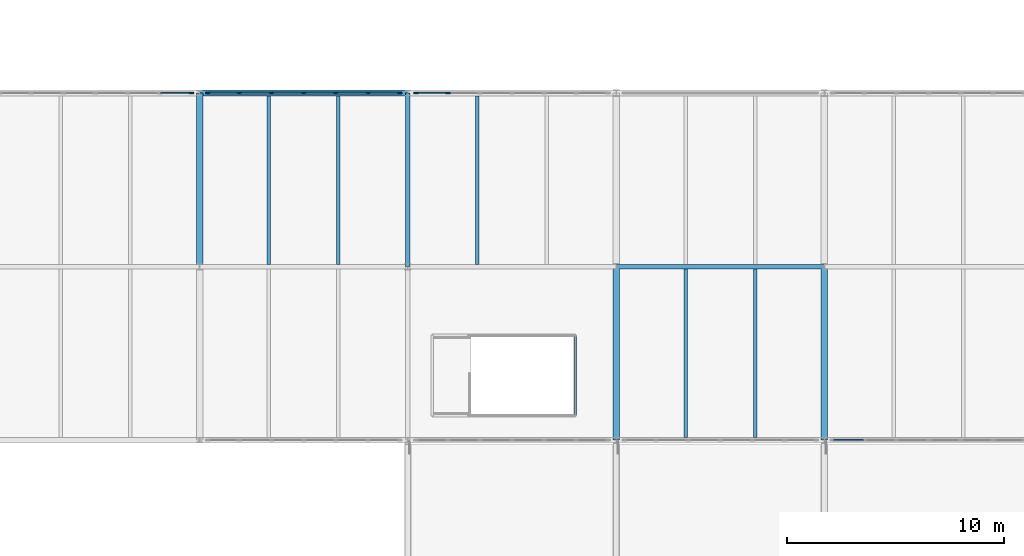
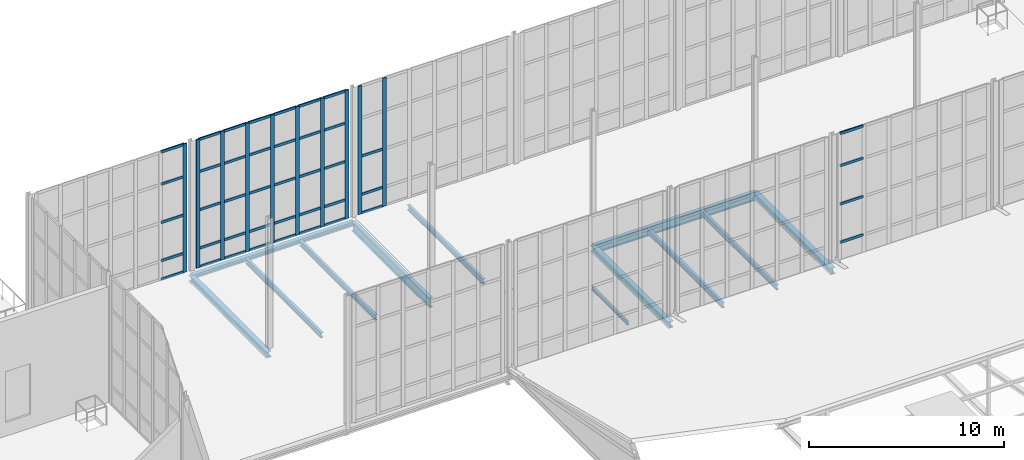
# One storey, part 37 of 73: 52 members, 12 beams, 4 elements without a shape of their own.
"""IFC4 building model written with IfcOpenShell, lengths in metres."""

from ifc_helpers import new_model, si_unit, direction, frame, origin, origin_2d, place, context, subcontext, project, spatial, rectangle, i_section, extrude, material, layer, layer_set, material_profile, profile_set, type_object, element, aggregate, save


model = new_model("IFC4")

# Units and contexts
model_context = context("Model", 3, precision=1e-05, world=origin(), true_north=direction((0.0, 1.0)))
body_context = subcontext(model_context, "Body", "Model", "MODEL_VIEW")
ifc_project = project(units=[si_unit("LENGTHUNIT", "METRE"), si_unit("AREAUNIT", "SQUARE_METRE"), si_unit("VOLUMEUNIT", "CUBIC_METRE"), si_unit("PLANEANGLEUNIT", "RADIAN"), si_unit("MASSUNIT", "GRAM", prefix="KILO")], contexts=[model_context])

# Site, building, storey
site_placement = place(None, origin())
site = spatial("IfcSite", under=ifc_project, at=site_placement, CompositionType="ELEMENT")
building_placement = place(site_placement, origin())
building = spatial("IfcBuilding", under=site, at=building_placement, Name="Alderhovde Museum", CompositionType="ELEMENT")
storey_placement = place(building_placement, frame((0.0, 0.0, 17.39990234375)))
storey = spatial("IfcBuildingStorey", under=building, at=storey_placement, Name="L04", CompositionType="ELEMENT", Elevation=17.39990234375)

# Beams
ifc_material_1 = material(Name="Steel S355J2", Category="steel")
ifc_material_profile_1 = material_profile(ifc_material_1, i_section(OverallWidth=0.300048828125, OverallDepth=0.389892578125, WebThickness=0.010986328125, FlangeThickness=0.01904296875, FilletRadius=0.027099609375, at=origin_2d()), Name="HEA 400")
ifc_profile_set_1 = profile_set([ifc_material_profile_1], Name="Steel S355J2")
beam_type_1 = type_object("IfcBeamType", Name="BM-HEA400", PredefinedType="BEAM", material=ifc_profile_set_1)
for number, where, z_axis, x_axis, name in (
    (1, (67.199951171875, 80.0, -0.474853515625), (0.0, 1.0, 0.0), (-1.0, 0.0, 0.0), "L04 Grid Beam X=67.2 (80.0 TO 88.0)"),
    (2, (86.39990234375, 72.0, -0.474853515625), (0.0, 1.0, 0.0), (-1.0, 0.0, 0.0), "L04 Grid Beam X=86.4 (72.0 TO 80.0)"),
    (3, (96.0, 72.0, -0.474853515625), (0.0, 1.0, 0.0), (-1.0, 0.0, 0.0), "L04 Grid Beam X=96.0 (72.0 TO 80.0)"),
):
    element("IfcBeam", number, at=place(storey_placement, frame(where, z_axis=z_axis, x_axis=x_axis)), inside=storey, type_object=beam_type_1, Name=name, PredefinedType="BEAM", context=body_context, shape_type="SweptSolid", body=[
        extrude(i_section(OverallWidth=0.300048828125, OverallDepth=0.389892578125, WebThickness=0.010986328125, FlangeThickness=0.01904296875, FilletRadius=0.027099609375, at=origin_2d()), origin(), (0.0, 0.0, 1.0), 8.0),
    ])
ifc_material_2 = material(Name="Steel S355J2", Category="steel")
ifc_material_profile_2 = material_profile(ifc_material_2, i_section(OverallWidth=0.1201171875, OverallDepth=0.239990234375, WebThickness=0.006103515625, FlangeThickness=0.009765625, FilletRadius=0.014892578125, at=origin_2d()), Name="IPE 240")
ifc_profile_set_2 = profile_set([ifc_material_profile_2], Name="Steel S355J2")
beam_type_2 = type_object("IfcBeamType", Name="BM-IPE240", PredefinedType="BEAM", material=ifc_profile_set_2)
beam_1_placement = place(storey_placement, frame((84.52001953125, 73.1201171875, -0.39990234375), z_axis=(0.0, 1.0, 0.0), x_axis=(-1.0, 0.0, 0.0)))
element("IfcBeam", 4, at=beam_1_placement, inside=storey, type_object=beam_type_2, Name="L04 Stair ST5 Floor Trimmer E", PredefinedType="BEAM", context=body_context, shape_type="SweptSolid", body=[
    extrude(i_section(OverallWidth=0.1201171875, OverallDepth=0.239990234375, WebThickness=0.006103515625, FlangeThickness=0.009765625, FilletRadius=0.014892578125, at=origin_2d()), origin(), (0.0, 0.0, 1.0), 3.719970703125),
])
ifc_material_3 = material(Name="Steel S355J2", Category="steel")
ifc_material_profile_3 = material_profile(ifc_material_3, i_section(OverallWidth=0.2099609375, OverallDepth=0.550048828125, WebThickness=0.010986328125, FlangeThickness=0.01708984375, FilletRadius=0.02392578125, at=origin_2d()), Name="IPE 550")
ifc_profile_set_3 = profile_set([ifc_material_profile_3], Name="Steel S355J2")
beam_type_3 = type_object("IfcBeamType", Name="BM-IPE550", PredefinedType="BEAM", material=ifc_profile_set_3)
beam_2_placement = place(storey_placement, frame((86.39990234375, 80.0, -0.554931640625), z_axis=(1.0, 0.0, 0.0), x_axis=(0.0, 1.0, 0.0)))
element("IfcBeam", 5, at=beam_2_placement, inside=storey, type_object=beam_type_3, Name="L04 Grid Beam Y=80.0 (86.4 TO 96.0)", PredefinedType="BEAM", context=body_context, shape_type="SweptSolid", body=[
    extrude(i_section(OverallWidth=0.2099609375, OverallDepth=0.550048828125, WebThickness=0.010986328125, FlangeThickness=0.01708984375, FilletRadius=0.02392578125, at=origin_2d()), origin(), (0.0, 0.0, 1.0), 9.60009765625),
])
ifc_material_4 = material(Name="Steel S355J2", Category="steel")
ifc_material_profile_4 = material_profile(ifc_material_4, i_section(OverallWidth=0.219970703125, OverallDepth=0.60009765625, WebThickness=0.011962890625, FlangeThickness=0.01904296875, FilletRadius=0.02392578125, at=origin_2d()), Name="IPE 600")
ifc_profile_set_4 = profile_set([ifc_material_profile_4], Name="Steel S355J2")
beam_type_4 = type_object("IfcBeamType", Name="BM-IPE600", PredefinedType="BEAM", material=ifc_profile_set_4)
beam_3_placement = place(storey_placement, frame((76.800048828125, 80.0, -0.579833984375), z_axis=(0.0, 1.0, 0.0), x_axis=(-1.0, 0.0, 0.0)))
element("IfcBeam", 6, at=beam_3_placement, inside=storey, type_object=beam_type_4, Name="L04 Grid Beam X=76.8 (80.0 TO 88.0)", PredefinedType="BEAM", context=body_context, shape_type="SweptSolid", body=[
    extrude(i_section(OverallWidth=0.219970703125, OverallDepth=0.60009765625, WebThickness=0.011962890625, FlangeThickness=0.01904296875, FilletRadius=0.02392578125, at=origin_2d()), origin(), (0.0, 0.0, 1.0), 8.0),
])

# Curtain wall, member
ifc_material_5 = material(Name="Triple-Glazed Bronze-Anodised Curtain Wall", Category="glass")
ifc_layer = layer(ifc_material_5, 0.219970703125)
ifc_layer_set = layer_set([ifc_layer], Name="Triple-Glazed Bronze-Anodised Curtain Wall")
curtain_wall_type = type_object("IfcCurtainWallType", Name="CW-UNIT-890x805", PredefinedType="USERDEFINED", material=ifc_layer_set)
curtain_wall_1_placement = place(storey_placement, origin())
curtain_wall_1 = element("IfcCurtainWall", 7, at=curtain_wall_1_placement, inside=storey, type_object=curtain_wall_type, Name="L04 Unitised Curtain Wall 78", ObjectType="UNITISED CURTAIN WALL", PredefinedType="USERDEFINED")
ifc_material_6 = material(Name="Bronze-Anodised Aluminium EN AW-6063-T6", Category="aluminium")
ifc_material_profile_5 = material_profile(ifc_material_6, rectangle(XDim=0.074951171875, YDim=0.219970703125, at=origin_2d()), Name="MULLION 75x220")
ifc_profile_set_5 = profile_set([ifc_material_profile_5], Name="Bronze-Anodised Aluminium EN AW-6063-T6")
member_type_1 = type_object("IfcMemberType", Name="CWM-75x220", PredefinedType="MULLION", material=ifc_profile_set_5)
member_1_placement = place(storey_placement, frame((66.8125, 88.0, 0.0), z_axis=(0.0, 0.0, 1.0), x_axis=(0.0, 1.0, 0.0)))
member_1 = element("IfcMember", 8, at=member_1_placement, type_object=member_type_1, Name="CW21 mullion 7", PredefinedType="MULLION", context=body_context, shape_type="SweptSolid", body=[
    extrude(rectangle(XDim=0.074951171875, YDim=0.219970703125, at=origin_2d()), origin(), (0.0, 0.0, 1.0), 8.050048828125),
])

# Curtain wall, members
curtain_wall_2_placement = place(storey_placement, origin())
curtain_wall_2 = element("IfcCurtainWall", 9, at=curtain_wall_2_placement, inside=storey, type_object=curtain_wall_type, Name="L04 Unitised Curtain Wall 79", ObjectType="UNITISED CURTAIN WALL", PredefinedType="USERDEFINED")
member_2_placement = place(storey_placement, frame((67.58740234375, 88.0, 0.0), z_axis=(0.0, 0.0, 1.0), x_axis=(0.0, 1.0, 0.0)))
member_2 = element("IfcMember", 10, at=member_2_placement, type_object=member_type_1, Name="CW21 mullion 1", PredefinedType="MULLION", context=body_context, shape_type="SweptSolid", body=[
    extrude(rectangle(XDim=0.074951171875, YDim=0.219970703125, at=origin_2d()), origin(), (0.0, 0.0, 1.0), 8.050048828125),
])
member_3_placement = place(storey_placement, frame((69.033447265625, 88.0, 0.0), z_axis=(0.0, 0.0, 1.0), x_axis=(0.0, 1.0, 0.0)))
member_3 = element("IfcMember", 11, at=member_3_placement, type_object=member_type_1, Name="CW21 mullion 2", PredefinedType="MULLION", context=body_context, shape_type="SweptSolid", body=[
    extrude(rectangle(XDim=0.074951171875, YDim=0.219970703125, at=origin_2d()), origin(), (0.0, 0.0, 1.0), 8.050048828125),
])
member_4_placement = place(storey_placement, frame((70.5166015625, 88.0, 0.0), z_axis=(0.0, 0.0, 1.0), x_axis=(0.0, 1.0, 0.0)))
member_4 = element("IfcMember", 12, at=member_4_placement, type_object=member_type_1, Name="CW21 mullion 3", PredefinedType="MULLION", context=body_context, shape_type="SweptSolid", body=[
    extrude(rectangle(XDim=0.074951171875, YDim=0.219970703125, at=origin_2d()), origin(), (0.0, 0.0, 1.0), 8.050048828125),
])
member_5_placement = place(storey_placement, frame((72.0, 88.0, 0.0), z_axis=(0.0, 0.0, 1.0), x_axis=(0.0, 1.0, 0.0)))
member_5 = element("IfcMember", 13, at=member_5_placement, type_object=member_type_1, Name="CW21 mullion 4", PredefinedType="MULLION", context=body_context, shape_type="SweptSolid", body=[
    extrude(rectangle(XDim=0.074951171875, YDim=0.219970703125, at=origin_2d()), origin(), (0.0, 0.0, 1.0), 8.050048828125),
])
member_6_placement = place(storey_placement, frame((73.4833984375, 88.0, 0.0), z_axis=(0.0, 0.0, 1.0), x_axis=(0.0, 1.0, 0.0)))
member_6 = element("IfcMember", 14, at=member_6_placement, type_object=member_type_1, Name="CW21 mullion 5", PredefinedType="MULLION", context=body_context, shape_type="SweptSolid", body=[
    extrude(rectangle(XDim=0.074951171875, YDim=0.219970703125, at=origin_2d()), origin(), (0.0, 0.0, 1.0), 8.050048828125),
])
member_7_placement = place(storey_placement, frame((74.966552734375, 88.0, 0.0), z_axis=(0.0, 0.0, 1.0), x_axis=(0.0, 1.0, 0.0)))
member_7 = element("IfcMember", 15, at=member_7_placement, type_object=member_type_1, Name="CW21 mullion 6", PredefinedType="MULLION", context=body_context, shape_type="SweptSolid", body=[
    extrude(rectangle(XDim=0.074951171875, YDim=0.219970703125, at=origin_2d()), origin(), (0.0, 0.0, 1.0), 8.050048828125),
])
member_8_placement = place(storey_placement, frame((76.41259765625, 88.0, 0.0), z_axis=(0.0, 0.0, 1.0), x_axis=(0.0, 1.0, 0.0)))
member_8 = element("IfcMember", 16, at=member_8_placement, type_object=member_type_1, Name="CW21 mullion 7", PredefinedType="MULLION", context=body_context, shape_type="SweptSolid", body=[
    extrude(rectangle(XDim=0.074951171875, YDim=0.219970703125, at=origin_2d()), origin(), (0.0, 0.0, 1.0), 8.050048828125),
])

curtain_wall_3_placement = place(storey_placement, origin())
curtain_wall_3 = element("IfcCurtainWall", 17, at=curtain_wall_3_placement, inside=storey, type_object=curtain_wall_type, Name="L04 Unitised Curtain Wall 81", ObjectType="UNITISED CURTAIN WALL", PredefinedType="USERDEFINED")
member_9_placement = place(storey_placement, frame((77.1875, 88.0, 0.0), z_axis=(0.0, 0.0, 1.0), x_axis=(0.0, 1.0, 0.0)))
member_9 = element("IfcMember", 18, at=member_9_placement, type_object=member_type_1, Name="CW21 mullion 1", PredefinedType="MULLION", context=body_context, shape_type="SweptSolid", body=[
    extrude(rectangle(XDim=0.074951171875, YDim=0.219970703125, at=origin_2d()), origin(), (0.0, 0.0, 1.0), 8.050048828125),
])
member_10_placement = place(storey_placement, frame((78.63330078125, 88.0, 0.0), z_axis=(0.0, 0.0, 1.0), x_axis=(0.0, 1.0, 0.0)))
member_10 = element("IfcMember", 19, at=member_10_placement, type_object=member_type_1, Name="CW21 mullion 2", PredefinedType="MULLION", context=body_context, shape_type="SweptSolid", body=[
    extrude(rectangle(XDim=0.074951171875, YDim=0.219970703125, at=origin_2d()), origin(), (0.0, 0.0, 1.0), 8.050048828125),
])

# Member
ifc_material_7 = material(Name="Bronze-Anodised Aluminium EN AW-6063-T6", Category="aluminium")
ifc_material_profile_6 = material_profile(ifc_material_7, rectangle(XDim=0.074951171875, YDim=0.159912109375, at=origin_2d()), Name="TRANSOM 75x160")
ifc_profile_set_6 = profile_set([ifc_material_profile_6], Name="Bronze-Anodised Aluminium EN AW-6063-T6")
member_type_2 = type_object("IfcMemberType", Name="CWT-75x160", PredefinedType="USERDEFINED", material=ifc_profile_set_6)
member_11_placement = place(storey_placement, frame((65.404052734375, 88.0, 0.03759765625), z_axis=(1.0, 0.0, 0.0), x_axis=(0.0, 1.0, 0.0)))
member_11 = element("IfcMember", 20, at=member_11_placement, type_object=member_type_2, Name="CW21 transom 6.1", ObjectType="TRANSOM", PredefinedType="USERDEFINED", context=body_context, shape_type="SweptSolid", body=[
    extrude(rectangle(XDim=0.074951171875, YDim=0.159912109375, at=origin_2d()), origin(), (0.0, 0.0, 1.0), 1.370849609375),
])

member_12_placement = place(storey_placement, frame((65.404052734375, 88.0, 1.2001953125), z_axis=(1.0, 0.0, 0.0), x_axis=(0.0, 1.0, 0.0)))
member_12 = element("IfcMember", 21, at=member_12_placement, type_object=member_type_2, Name="CW21 transom 6.2", ObjectType="TRANSOM", PredefinedType="USERDEFINED", context=body_context, shape_type="SweptSolid", body=[
    extrude(rectangle(XDim=0.074951171875, YDim=0.159912109375, at=origin_2d()), origin(), (0.0, 0.0, 1.0), 1.370849609375),
])

member_13_placement = place(storey_placement, frame((65.404052734375, 88.0, 3.60009765625), z_axis=(1.0, 0.0, 0.0), x_axis=(0.0, 1.0, 0.0)))
member_13 = element("IfcMember", 22, at=member_13_placement, type_object=member_type_2, Name="CW21 transom 6.3", ObjectType="TRANSOM", PredefinedType="USERDEFINED", context=body_context, shape_type="SweptSolid", body=[
    extrude(rectangle(XDim=0.074951171875, YDim=0.159912109375, at=origin_2d()), origin(), (0.0, 0.0, 1.0), 1.370849609375),
])

member_14_placement = place(storey_placement, frame((65.404052734375, 88.0, 6.0), z_axis=(1.0, 0.0, 0.0), x_axis=(0.0, 1.0, 0.0)))
member_14 = element("IfcMember", 23, at=member_14_placement, type_object=member_type_2, Name="CW21 transom 6.4", ObjectType="TRANSOM", PredefinedType="USERDEFINED", context=body_context, shape_type="SweptSolid", body=[
    extrude(rectangle(XDim=0.074951171875, YDim=0.159912109375, at=origin_2d()), origin(), (0.0, 0.0, 1.0), 1.370849609375),
])

member_15_placement = place(storey_placement, frame((65.404052734375, 88.0, 8.0126953125), z_axis=(1.0, 0.0, 0.0), x_axis=(0.0, 1.0, 0.0)))
member_15 = element("IfcMember", 24, at=member_15_placement, type_object=member_type_2, Name="CW21 transom 6.5", ObjectType="TRANSOM", PredefinedType="USERDEFINED", context=body_context, shape_type="SweptSolid", body=[
    extrude(rectangle(XDim=0.074951171875, YDim=0.159912109375, at=origin_2d()), origin(), (0.0, 0.0, 1.0), 1.370849609375),
])

aggregate(curtain_wall_1, [member_1, member_11, member_12, member_13, member_14, member_15])

member_16_placement = place(storey_placement, frame((67.625, 88.0, 0.03759765625), z_axis=(1.0, 0.0, 0.0), x_axis=(0.0, 1.0, 0.0)))
member_16 = element("IfcMember", 25, at=member_16_placement, type_object=member_type_2, Name="CW21 transom 1.1", ObjectType="TRANSOM", PredefinedType="USERDEFINED", context=body_context, shape_type="SweptSolid", body=[
    extrude(rectangle(XDim=0.074951171875, YDim=0.159912109375, at=origin_2d()), origin(), (0.0, 0.0, 1.0), 1.370849609375),
])

member_17_placement = place(storey_placement, frame((67.625, 88.0, 1.2001953125), z_axis=(1.0, 0.0, 0.0), x_axis=(0.0, 1.0, 0.0)))
member_17 = element("IfcMember", 26, at=member_17_placement, type_object=member_type_2, Name="CW21 transom 1.2", ObjectType="TRANSOM", PredefinedType="USERDEFINED", context=body_context, shape_type="SweptSolid", body=[
    extrude(rectangle(XDim=0.074951171875, YDim=0.159912109375, at=origin_2d()), origin(), (0.0, 0.0, 1.0), 1.370849609375),
])

member_18_placement = place(storey_placement, frame((67.625, 88.0, 3.60009765625), z_axis=(1.0, 0.0, 0.0), x_axis=(0.0, 1.0, 0.0)))
member_18 = element("IfcMember", 27, at=member_18_placement, type_object=member_type_2, Name="CW21 transom 1.3", ObjectType="TRANSOM", PredefinedType="USERDEFINED", context=body_context, shape_type="SweptSolid", body=[
    extrude(rectangle(XDim=0.074951171875, YDim=0.159912109375, at=origin_2d()), origin(), (0.0, 0.0, 1.0), 1.370849609375),
])

member_19_placement = place(storey_placement, frame((67.625, 88.0, 6.0), z_axis=(1.0, 0.0, 0.0), x_axis=(0.0, 1.0, 0.0)))
member_19 = element("IfcMember", 28, at=member_19_placement, type_object=member_type_2, Name="CW21 transom 1.4", ObjectType="TRANSOM", PredefinedType="USERDEFINED", context=body_context, shape_type="SweptSolid", body=[
    extrude(rectangle(XDim=0.074951171875, YDim=0.159912109375, at=origin_2d()), origin(), (0.0, 0.0, 1.0), 1.370849609375),
])

member_20_placement = place(storey_placement, frame((67.625, 88.0, 8.0126953125), z_axis=(1.0, 0.0, 0.0), x_axis=(0.0, 1.0, 0.0)))
member_20 = element("IfcMember", 29, at=member_20_placement, type_object=member_type_2, Name="CW21 transom 1.5", ObjectType="TRANSOM", PredefinedType="USERDEFINED", context=body_context, shape_type="SweptSolid", body=[
    extrude(rectangle(XDim=0.074951171875, YDim=0.159912109375, at=origin_2d()), origin(), (0.0, 0.0, 1.0), 1.370849609375),
])

member_21_placement = place(storey_placement, frame((69.07080078125, 88.0, 0.03759765625), z_axis=(1.0, 0.0, 0.0), x_axis=(0.0, 1.0, 0.0)))
member_21 = element("IfcMember", 30, at=member_21_placement, type_object=member_type_2, Name="CW21 transom 2.1", ObjectType="TRANSOM", PredefinedType="USERDEFINED", context=body_context, shape_type="SweptSolid", body=[
    extrude(rectangle(XDim=0.074951171875, YDim=0.159912109375, at=origin_2d()), origin(), (0.0, 0.0, 1.0), 1.408447265625),
])

member_22_placement = place(storey_placement, frame((69.07080078125, 88.0, 1.2001953125), z_axis=(1.0, 0.0, 0.0), x_axis=(0.0, 1.0, 0.0)))
member_22 = element("IfcMember", 31, at=member_22_placement, type_object=member_type_2, Name="CW21 transom 2.2", ObjectType="TRANSOM", PredefinedType="USERDEFINED", context=body_context, shape_type="SweptSolid", body=[
    extrude(rectangle(XDim=0.074951171875, YDim=0.159912109375, at=origin_2d()), origin(), (0.0, 0.0, 1.0), 1.408447265625),
])

member_23_placement = place(storey_placement, frame((69.07080078125, 88.0, 3.60009765625), z_axis=(1.0, 0.0, 0.0), x_axis=(0.0, 1.0, 0.0)))
member_23 = element("IfcMember", 32, at=member_23_placement, type_object=member_type_2, Name="CW21 transom 2.3", ObjectType="TRANSOM", PredefinedType="USERDEFINED", context=body_context, shape_type="SweptSolid", body=[
    extrude(rectangle(XDim=0.074951171875, YDim=0.159912109375, at=origin_2d()), origin(), (0.0, 0.0, 1.0), 1.408447265625),
])

member_24_placement = place(storey_placement, frame((69.07080078125, 88.0, 6.0), z_axis=(1.0, 0.0, 0.0), x_axis=(0.0, 1.0, 0.0)))
member_24 = element("IfcMember", 33, at=member_24_placement, type_object=member_type_2, Name="CW21 transom 2.4", ObjectType="TRANSOM", PredefinedType="USERDEFINED", context=body_context, shape_type="SweptSolid", body=[
    extrude(rectangle(XDim=0.074951171875, YDim=0.159912109375, at=origin_2d()), origin(), (0.0, 0.0, 1.0), 1.408447265625),
])

member_25_placement = place(storey_placement, frame((69.07080078125, 88.0, 8.0126953125), z_axis=(1.0, 0.0, 0.0), x_axis=(0.0, 1.0, 0.0)))
member_25 = element("IfcMember", 34, at=member_25_placement, type_object=member_type_2, Name="CW21 transom 2.5", ObjectType="TRANSOM", PredefinedType="USERDEFINED", context=body_context, shape_type="SweptSolid", body=[
    extrude(rectangle(XDim=0.074951171875, YDim=0.159912109375, at=origin_2d()), origin(), (0.0, 0.0, 1.0), 1.408447265625),
])

member_26_placement = place(storey_placement, frame((70.55419921875, 88.0, 0.03759765625), z_axis=(1.0, 0.0, 0.0), x_axis=(0.0, 1.0, 0.0)))
member_26 = element("IfcMember", 35, at=member_26_placement, type_object=member_type_2, Name="CW21 transom 3.1", ObjectType="TRANSOM", PredefinedType="USERDEFINED", context=body_context, shape_type="SweptSolid", body=[
    extrude(rectangle(XDim=0.074951171875, YDim=0.159912109375, at=origin_2d()), origin(), (0.0, 0.0, 1.0), 1.408203125),
])

member_27_placement = place(storey_placement, frame((70.55419921875, 88.0, 1.2001953125), z_axis=(1.0, 0.0, 0.0), x_axis=(0.0, 1.0, 0.0)))
member_27 = element("IfcMember", 36, at=member_27_placement, type_object=member_type_2, Name="CW21 transom 3.2", ObjectType="TRANSOM", PredefinedType="USERDEFINED", context=body_context, shape_type="SweptSolid", body=[
    extrude(rectangle(XDim=0.074951171875, YDim=0.159912109375, at=origin_2d()), origin(), (0.0, 0.0, 1.0), 1.408203125),
])

member_28_placement = place(storey_placement, frame((70.55419921875, 88.0, 3.60009765625), z_axis=(1.0, 0.0, 0.0), x_axis=(0.0, 1.0, 0.0)))
member_28 = element("IfcMember", 37, at=member_28_placement, type_object=member_type_2, Name="CW21 transom 3.3", ObjectType="TRANSOM", PredefinedType="USERDEFINED", context=body_context, shape_type="SweptSolid", body=[
    extrude(rectangle(XDim=0.074951171875, YDim=0.159912109375, at=origin_2d()), origin(), (0.0, 0.0, 1.0), 1.408203125),
])

member_29_placement = place(storey_placement, frame((70.55419921875, 88.0, 6.0), z_axis=(1.0, 0.0, 0.0), x_axis=(0.0, 1.0, 0.0)))
member_29 = element("IfcMember", 38, at=member_29_placement, type_object=member_type_2, Name="CW21 transom 3.4", ObjectType="TRANSOM", PredefinedType="USERDEFINED", context=body_context, shape_type="SweptSolid", body=[
    extrude(rectangle(XDim=0.074951171875, YDim=0.159912109375, at=origin_2d()), origin(), (0.0, 0.0, 1.0), 1.408203125),
])

member_30_placement = place(storey_placement, frame((70.55419921875, 88.0, 8.0126953125), z_axis=(1.0, 0.0, 0.0), x_axis=(0.0, 1.0, 0.0)))
member_30 = element("IfcMember", 39, at=member_30_placement, type_object=member_type_2, Name="CW21 transom 3.5", ObjectType="TRANSOM", PredefinedType="USERDEFINED", context=body_context, shape_type="SweptSolid", body=[
    extrude(rectangle(XDim=0.074951171875, YDim=0.159912109375, at=origin_2d()), origin(), (0.0, 0.0, 1.0), 1.408203125),
])

member_31_placement = place(storey_placement, frame((72.03759765625, 88.0, 0.03759765625), z_axis=(1.0, 0.0, 0.0), x_axis=(0.0, 1.0, 0.0)))
member_31 = element("IfcMember", 40, at=member_31_placement, type_object=member_type_2, Name="CW21 transom 4.1", ObjectType="TRANSOM", PredefinedType="USERDEFINED", context=body_context, shape_type="SweptSolid", body=[
    extrude(rectangle(XDim=0.074951171875, YDim=0.159912109375, at=origin_2d()), origin(), (0.0, 0.0, 1.0), 1.408203125),
])

member_32_placement = place(storey_placement, frame((72.03759765625, 88.0, 1.2001953125), z_axis=(1.0, 0.0, 0.0), x_axis=(0.0, 1.0, 0.0)))
member_32 = element("IfcMember", 41, at=member_32_placement, type_object=member_type_2, Name="CW21 transom 4.2", ObjectType="TRANSOM", PredefinedType="USERDEFINED", context=body_context, shape_type="SweptSolid", body=[
    extrude(rectangle(XDim=0.074951171875, YDim=0.159912109375, at=origin_2d()), origin(), (0.0, 0.0, 1.0), 1.408203125),
])

member_33_placement = place(storey_placement, frame((72.03759765625, 88.0, 3.60009765625), z_axis=(1.0, 0.0, 0.0), x_axis=(0.0, 1.0, 0.0)))
member_33 = element("IfcMember", 42, at=member_33_placement, type_object=member_type_2, Name="CW21 transom 4.3", ObjectType="TRANSOM", PredefinedType="USERDEFINED", context=body_context, shape_type="SweptSolid", body=[
    extrude(rectangle(XDim=0.074951171875, YDim=0.159912109375, at=origin_2d()), origin(), (0.0, 0.0, 1.0), 1.408203125),
])

member_34_placement = place(storey_placement, frame((72.03759765625, 88.0, 6.0), z_axis=(1.0, 0.0, 0.0), x_axis=(0.0, 1.0, 0.0)))
member_34 = element("IfcMember", 43, at=member_34_placement, type_object=member_type_2, Name="CW21 transom 4.4", ObjectType="TRANSOM", PredefinedType="USERDEFINED", context=body_context, shape_type="SweptSolid", body=[
    extrude(rectangle(XDim=0.074951171875, YDim=0.159912109375, at=origin_2d()), origin(), (0.0, 0.0, 1.0), 1.408203125),
])

member_35_placement = place(storey_placement, frame((72.03759765625, 88.0, 8.0126953125), z_axis=(1.0, 0.0, 0.0), x_axis=(0.0, 1.0, 0.0)))
member_35 = element("IfcMember", 44, at=member_35_placement, type_object=member_type_2, Name="CW21 transom 4.5", ObjectType="TRANSOM", PredefinedType="USERDEFINED", context=body_context, shape_type="SweptSolid", body=[
    extrude(rectangle(XDim=0.074951171875, YDim=0.159912109375, at=origin_2d()), origin(), (0.0, 0.0, 1.0), 1.408203125),
])

member_36_placement = place(storey_placement, frame((73.520751953125, 88.0, 0.03759765625), z_axis=(1.0, 0.0, 0.0), x_axis=(0.0, 1.0, 0.0)))
member_36 = element("IfcMember", 45, at=member_36_placement, type_object=member_type_2, Name="CW21 transom 5.1", ObjectType="TRANSOM", PredefinedType="USERDEFINED", context=body_context, shape_type="SweptSolid", body=[
    extrude(rectangle(XDim=0.074951171875, YDim=0.159912109375, at=origin_2d()), origin(), (0.0, 0.0, 1.0), 1.408447265625),
])

member_37_placement = place(storey_placement, frame((73.520751953125, 88.0, 1.2001953125), z_axis=(1.0, 0.0, 0.0), x_axis=(0.0, 1.0, 0.0)))
member_37 = element("IfcMember", 46, at=member_37_placement, type_object=member_type_2, Name="CW21 transom 5.2", ObjectType="TRANSOM", PredefinedType="USERDEFINED", context=body_context, shape_type="SweptSolid", body=[
    extrude(rectangle(XDim=0.074951171875, YDim=0.159912109375, at=origin_2d()), origin(), (0.0, 0.0, 1.0), 1.408447265625),
])

member_38_placement = place(storey_placement, frame((73.520751953125, 88.0, 3.60009765625), z_axis=(1.0, 0.0, 0.0), x_axis=(0.0, 1.0, 0.0)))
member_38 = element("IfcMember", 47, at=member_38_placement, type_object=member_type_2, Name="CW21 transom 5.3", ObjectType="TRANSOM", PredefinedType="USERDEFINED", context=body_context, shape_type="SweptSolid", body=[
    extrude(rectangle(XDim=0.074951171875, YDim=0.159912109375, at=origin_2d()), origin(), (0.0, 0.0, 1.0), 1.408447265625),
])

member_39_placement = place(storey_placement, frame((73.520751953125, 88.0, 6.0), z_axis=(1.0, 0.0, 0.0), x_axis=(0.0, 1.0, 0.0)))
member_39 = element("IfcMember", 48, at=member_39_placement, type_object=member_type_2, Name="CW21 transom 5.4", ObjectType="TRANSOM", PredefinedType="USERDEFINED", context=body_context, shape_type="SweptSolid", body=[
    extrude(rectangle(XDim=0.074951171875, YDim=0.159912109375, at=origin_2d()), origin(), (0.0, 0.0, 1.0), 1.408447265625),
])

member_40_placement = place(storey_placement, frame((73.520751953125, 88.0, 8.0126953125), z_axis=(1.0, 0.0, 0.0), x_axis=(0.0, 1.0, 0.0)))
member_40 = element("IfcMember", 49, at=member_40_placement, type_object=member_type_2, Name="CW21 transom 5.5", ObjectType="TRANSOM", PredefinedType="USERDEFINED", context=body_context, shape_type="SweptSolid", body=[
    extrude(rectangle(XDim=0.074951171875, YDim=0.159912109375, at=origin_2d()), origin(), (0.0, 0.0, 1.0), 1.408447265625),
])

member_41_placement = place(storey_placement, frame((75.004150390625, 88.0, 0.03759765625), z_axis=(1.0, 0.0, 0.0), x_axis=(0.0, 1.0, 0.0)))
member_41 = element("IfcMember", 50, at=member_41_placement, type_object=member_type_2, Name="CW21 transom 6.1", ObjectType="TRANSOM", PredefinedType="USERDEFINED", context=body_context, shape_type="SweptSolid", body=[
    extrude(rectangle(XDim=0.074951171875, YDim=0.159912109375, at=origin_2d()), origin(), (0.0, 0.0, 1.0), 1.370849609375),
])

member_42_placement = place(storey_placement, frame((75.004150390625, 88.0, 1.2001953125), z_axis=(1.0, 0.0, 0.0), x_axis=(0.0, 1.0, 0.0)))
member_42 = element("IfcMember", 51, at=member_42_placement, type_object=member_type_2, Name="CW21 transom 6.2", ObjectType="TRANSOM", PredefinedType="USERDEFINED", context=body_context, shape_type="SweptSolid", body=[
    extrude(rectangle(XDim=0.074951171875, YDim=0.159912109375, at=origin_2d()), origin(), (0.0, 0.0, 1.0), 1.370849609375),
])

member_43_placement = place(storey_placement, frame((75.004150390625, 88.0, 3.60009765625), z_axis=(1.0, 0.0, 0.0), x_axis=(0.0, 1.0, 0.0)))
member_43 = element("IfcMember", 52, at=member_43_placement, type_object=member_type_2, Name="CW21 transom 6.3", ObjectType="TRANSOM", PredefinedType="USERDEFINED", context=body_context, shape_type="SweptSolid", body=[
    extrude(rectangle(XDim=0.074951171875, YDim=0.159912109375, at=origin_2d()), origin(), (0.0, 0.0, 1.0), 1.370849609375),
])

member_44_placement = place(storey_placement, frame((75.004150390625, 88.0, 6.0), z_axis=(1.0, 0.0, 0.0), x_axis=(0.0, 1.0, 0.0)))
member_44 = element("IfcMember", 53, at=member_44_placement, type_object=member_type_2, Name="CW21 transom 6.4", ObjectType="TRANSOM", PredefinedType="USERDEFINED", context=body_context, shape_type="SweptSolid", body=[
    extrude(rectangle(XDim=0.074951171875, YDim=0.159912109375, at=origin_2d()), origin(), (0.0, 0.0, 1.0), 1.370849609375),
])

member_45_placement = place(storey_placement, frame((75.004150390625, 88.0, 8.0126953125), z_axis=(1.0, 0.0, 0.0), x_axis=(0.0, 1.0, 0.0)))
member_45 = element("IfcMember", 54, at=member_45_placement, type_object=member_type_2, Name="CW21 transom 6.5", ObjectType="TRANSOM", PredefinedType="USERDEFINED", context=body_context, shape_type="SweptSolid", body=[
    extrude(rectangle(XDim=0.074951171875, YDim=0.159912109375, at=origin_2d()), origin(), (0.0, 0.0, 1.0), 1.370849609375),
])

aggregate(curtain_wall_2, [member_2, member_3, member_4, member_5, member_6, member_7, member_8, member_16, member_17, member_18, member_19, member_20, member_21, member_22, member_23, member_24, member_25, member_26, member_27, member_28, member_29, member_30, member_31, member_32, member_33, member_34, member_35, member_36, member_37, member_38, member_39, member_40, member_41, member_42, member_43, member_44, member_45])

member_46_placement = place(storey_placement, frame((77.22509765625, 88.0, 0.03759765625), z_axis=(1.0, 0.0, 0.0), x_axis=(0.0, 1.0, 0.0)))
member_46 = element("IfcMember", 55, at=member_46_placement, type_object=member_type_2, Name="CW21 transom 1.1", ObjectType="TRANSOM", PredefinedType="USERDEFINED", context=body_context, shape_type="SweptSolid", body=[
    extrude(rectangle(XDim=0.074951171875, YDim=0.159912109375, at=origin_2d()), origin(), (0.0, 0.0, 1.0), 1.370849609375),
])

member_47_placement = place(storey_placement, frame((77.22509765625, 88.0, 1.2001953125), z_axis=(1.0, 0.0, 0.0), x_axis=(0.0, 1.0, 0.0)))
member_47 = element("IfcMember", 56, at=member_47_placement, type_object=member_type_2, Name="CW21 transom 1.2", ObjectType="TRANSOM", PredefinedType="USERDEFINED", context=body_context, shape_type="SweptSolid", body=[
    extrude(rectangle(XDim=0.074951171875, YDim=0.159912109375, at=origin_2d()), origin(), (0.0, 0.0, 1.0), 1.370849609375),
])

member_48_placement = place(storey_placement, frame((77.22509765625, 88.0, 3.60009765625), z_axis=(1.0, 0.0, 0.0), x_axis=(0.0, 1.0, 0.0)))
member_48 = element("IfcMember", 57, at=member_48_placement, type_object=member_type_2, Name="CW21 transom 1.3", ObjectType="TRANSOM", PredefinedType="USERDEFINED", context=body_context, shape_type="SweptSolid", body=[
    extrude(rectangle(XDim=0.074951171875, YDim=0.159912109375, at=origin_2d()), origin(), (0.0, 0.0, 1.0), 1.370849609375),
])

aggregate(curtain_wall_3, [member_9, member_10, member_46, member_47, member_48])

# Curtain wall, members
curtain_wall_4_placement = place(storey_placement, origin())
curtain_wall_4 = element("IfcCurtainWall", 58, at=curtain_wall_4_placement, inside=storey, type_object=curtain_wall_type, Name="L04 Unitised Curtain Wall 86", ObjectType="UNITISED CURTAIN WALL", PredefinedType="USERDEFINED")
member_49_placement = place(storey_placement, frame((96.425048828125, 72.0, 1.2001953125), z_axis=(1.0, 0.0, 0.0), x_axis=(0.0, 1.0, 0.0)))
member_49 = element("IfcMember", 59, at=member_49_placement, type_object=member_type_2, Name="CW21 transom 1.2", ObjectType="TRANSOM", PredefinedType="USERDEFINED", context=body_context, shape_type="SweptSolid", body=[
    extrude(rectangle(XDim=0.074951171875, YDim=0.159912109375, at=origin_2d()), origin(), (0.0, 0.0, 1.0), 1.370849609375),
])
member_50_placement = place(storey_placement, frame((96.425048828125, 72.0, 3.60009765625), z_axis=(1.0, 0.0, 0.0), x_axis=(0.0, 1.0, 0.0)))
member_50 = element("IfcMember", 60, at=member_50_placement, type_object=member_type_2, Name="CW21 transom 1.3", ObjectType="TRANSOM", PredefinedType="USERDEFINED", context=body_context, shape_type="SweptSolid", body=[
    extrude(rectangle(XDim=0.074951171875, YDim=0.159912109375, at=origin_2d()), origin(), (0.0, 0.0, 1.0), 1.370849609375),
])
member_51_placement = place(storey_placement, frame((96.425048828125, 72.0, 6.0), z_axis=(1.0, 0.0, 0.0), x_axis=(0.0, 1.0, 0.0)))
member_51 = element("IfcMember", 61, at=member_51_placement, type_object=member_type_2, Name="CW21 transom 1.4", ObjectType="TRANSOM", PredefinedType="USERDEFINED", context=body_context, shape_type="SweptSolid", body=[
    extrude(rectangle(XDim=0.074951171875, YDim=0.159912109375, at=origin_2d()), origin(), (0.0, 0.0, 1.0), 1.370849609375),
])
member_52_placement = place(storey_placement, frame((96.425048828125, 72.0, 8.0126953125), z_axis=(1.0, 0.0, 0.0), x_axis=(0.0, 1.0, 0.0)))
member_52 = element("IfcMember", 62, at=member_52_placement, type_object=member_type_2, Name="CW21 transom 1.5", ObjectType="TRANSOM", PredefinedType="USERDEFINED", context=body_context, shape_type="SweptSolid", body=[
    extrude(rectangle(XDim=0.074951171875, YDim=0.159912109375, at=origin_2d()), origin(), (0.0, 0.0, 1.0), 1.370849609375),
])
aggregate(curtain_wall_4, [member_49, member_50, member_51, member_52])

# Beams
ifc_material_8 = material(Name="Steel S355J2", Category="steel")
ifc_material_profile_7 = material_profile(ifc_material_8, i_section(OverallWidth=0.159912109375, OverallDepth=0.330078125, WebThickness=0.007568359375, FlangeThickness=0.011474609375, FilletRadius=0.01806640625, at=origin_2d()), Name="IPE 330")
ifc_profile_set_7 = profile_set([ifc_material_profile_7], Name="Steel S355J2")
beam_type_5 = type_object("IfcBeamType", Name="JST-IPE330", PredefinedType="JOIST", material=ifc_profile_set_7)
for number, where, z_axis, x_axis, name in (
    (63, (70.39990234375, 80.10498046875, -0.44482421875), (0.0, 1.0, 0.0), (-1.0, 0.0, 0.0), "L04 Composite Joist X=70.4 (80.0 TO 88.0)"),
    (64, (73.60009765625, 80.10498046875, -0.44482421875), (0.0, 1.0, 0.0), (-1.0, 0.0, 0.0), "L04 Composite Joist X=73.6 (80.0 TO 88.0)"),
    (65, (80.0, 80.10498046875, -0.44482421875), (0.0, 1.0, 0.0), (-1.0, 0.0, 0.0), "L04 Composite Joist X=80.0 (80.0 TO 88.0)"),
    (66, (89.60009765625, 72.1298828125, -0.44482421875), (0.0, 1.0, 0.0), (-1.0, 0.0, 0.0), "L04 Composite Joist X=89.6 (72.0 TO 80.0)"),
    (67, (92.800048828125, 72.1298828125, -0.44482421875), (0.0, 1.0, 0.0), (-1.0, 0.0, 0.0), "L04 Composite Joist X=92.8 (72.0 TO 80.0)"),
):
    element("IfcBeam", number, at=place(storey_placement, frame(where, z_axis=z_axis, x_axis=x_axis)), inside=storey, type_object=beam_type_5, Name=name, PredefinedType="JOIST", context=body_context, shape_type="SweptSolid", body=[
        extrude(i_section(OverallWidth=0.159912109375, OverallDepth=0.330078125, WebThickness=0.007568359375, FlangeThickness=0.011474609375, FilletRadius=0.01806640625, at=origin_2d()), origin(), (0.0, 0.0, 1.0), 7.76513671875),
    ])
ifc_material_9 = material(Name="Steel S355J2", Category="steel")
ifc_material_profile_8 = material_profile(ifc_material_9, i_section(OverallWidth=0.260009765625, OverallDepth=0.25, WebThickness=0.007568359375, FlangeThickness=0.012451171875, FilletRadius=0.02392578125, at=origin_2d()), Name="HEA 260")
ifc_profile_set_8 = profile_set([ifc_material_profile_8], Name="Steel S355J2")
beam_type_6 = type_object("IfcBeamType", Name="SPD-HEA260", PredefinedType="SPANDREL", material=ifc_profile_set_8)
beam_4_placement = place(storey_placement, frame((67.199951171875, 88.0, -0.40478515625), z_axis=(1.0, 0.0, 0.0), x_axis=(0.0, 1.0, 0.0)))
element("IfcBeam", 68, at=beam_4_placement, inside=storey, type_object=beam_type_6, Name="L04 Grid Beam Y=88.0 (67.2 TO 76.8)", PredefinedType="SPANDREL", context=body_context, shape_type="SweptSolid", body=[
    extrude(i_section(OverallWidth=0.260009765625, OverallDepth=0.25, WebThickness=0.007568359375, FlangeThickness=0.012451171875, FilletRadius=0.02392578125, at=origin_2d()), origin(), (0.0, 0.0, 1.0), 9.60009765625),
])

save(model, "model.ifc")
